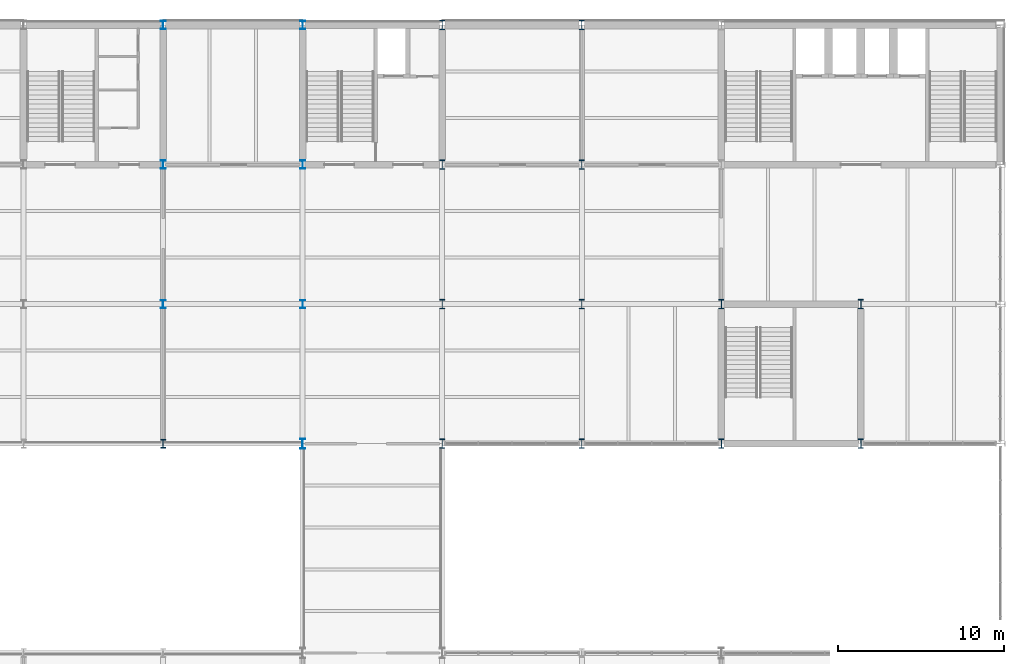
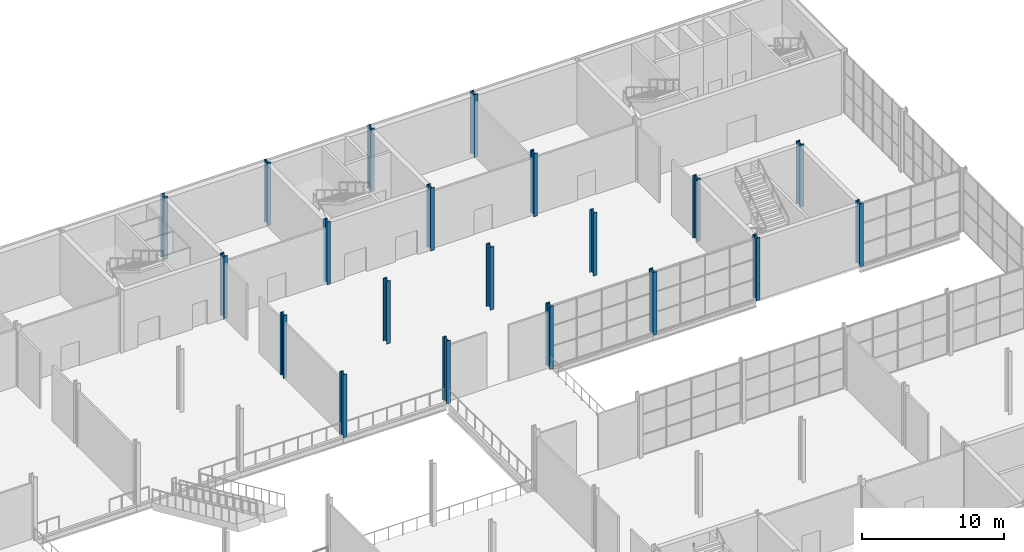
# One storey, part 7 of 64: 20 columns.
"""IFC4 building model written with IfcOpenShell, lengths in metres."""

from ifc_helpers import new_model, si_unit, direction, frame, origin, origin_2d, place, context, subcontext, project, spatial, i_section, extrude, material, material_profile, profile_set, type_object, element, save


model = new_model("IFC4")

# Units and contexts
model_context = context("Model", 3, precision=1e-05, world=origin(), true_north=direction((0.0, 1.0)))
body_context = subcontext(model_context, "Body", "Model", "MODEL_VIEW")
ifc_project = project(units=[si_unit("LENGTHUNIT", "METRE"), si_unit("AREAUNIT", "SQUARE_METRE"), si_unit("VOLUMEUNIT", "CUBIC_METRE"), si_unit("PLANEANGLEUNIT", "RADIAN"), si_unit("MASSUNIT", "GRAM", prefix="KILO")], contexts=[model_context])

# Site, building, storey
site_placement = place(None, origin())
site = spatial("IfcSite", under=ifc_project, at=site_placement, CompositionType="ELEMENT")
building_placement = place(site_placement, origin())
building = spatial("IfcBuilding", under=site, at=building_placement, Name="Galleria Vessillo Department Store", CompositionType="ELEMENT")
storey_placement = place(building_placement, frame((0.0, 0.0, 6.0)))
storey = spatial("IfcBuildingStorey", under=building, at=storey_placement, Name="L01", CompositionType="ELEMENT", Elevation=6.0)

# Columns
ifc_material_1 = material(Name="Steel S355 J2", Category="steel")
ifc_material_profile_1 = material_profile(ifc_material_1, i_section(OverallWidth=0.300048828125, OverallDepth=0.5, WebThickness=0.014404296875, FlangeThickness=0.028076171875, FilletRadius=0.027099609375, at=origin_2d()), Name="HEB 500")
ifc_profile_set_1 = profile_set([ifc_material_profile_1], Name="Steel S355 J2")
column_type_1 = type_object("IfcColumnType", Name="Steel column HEB 500 CP1", PredefinedType="COLUMN", material=ifc_profile_set_1)
for number, where, z_axis, x_axis, name in (
    (1, (67.199951171875, 46.199951171875, 0.0), (0.0, 0.0, 1.0), (1.0, 0.0, 0.0), "S-COL-L01-9-F"),
    (2, (67.199951171875, 54.60009765625, 0.0), (0.0, 0.0, 1.0), (1.0, 0.0, 0.0), "S-COL-L01-9-G"),
    (3, (67.199951171875, 63.0, 0.0), (0.0, 0.0, 1.0), (1.0, 0.0, 0.0), "S-COL-L01-9-H"),
    (4, (75.60009765625, 46.199951171875, 0.0), (0.0, 0.0, 1.0), (1.0, 0.0, 0.0), "S-COL-L01-10-F"),
    (5, (75.60009765625, 54.60009765625, 0.0), (0.0, 0.0, 1.0), (1.0, 0.0, 0.0), "S-COL-L01-10-G"),
    (6, (75.60009765625, 63.0, 0.0), (0.0, 0.0, 1.0), (1.0, 0.0, 0.0), "S-COL-L01-10-H"),
):
    element("IfcColumn", number, at=place(storey_placement, frame(where, z_axis=z_axis, x_axis=x_axis)), inside=storey, type_object=column_type_1, Name=name, PredefinedType="COLUMN", context=body_context, shape_type="SweptSolid", body=[
        extrude(i_section(OverallWidth=0.300048828125, OverallDepth=0.5, WebThickness=0.014404296875, FlangeThickness=0.028076171875, FilletRadius=0.027099609375, at=origin_2d()), origin(), (0.0, 0.0, 1.0), 5.39990234375),
    ])
ifc_material_2 = material(Name="Steel S355 J2", Category="steel")
ifc_material_profile_2 = material_profile(ifc_material_2, i_section(OverallWidth=0.305908203125, OverallDepth=0.52392578125, WebThickness=0.02099609375, FlangeThickness=0.0400390625, FilletRadius=0.027099609375, at=origin_2d()), Name="HEM 500")
ifc_profile_set_2 = profile_set([ifc_material_profile_2], Name="Steel S355 J2")
column_type_2 = type_object("IfcColumnType", Name="Steel column HEM 500 CV1", PredefinedType="COLUMN", material=ifc_profile_set_2)
column_1_placement = place(storey_placement, frame((67.199951171875, 37.800048828125, 0.0), z_axis=(0.0, 0.0, 1.0), x_axis=(1.0, 0.0, 0.0)))
element("IfcColumn", 7, at=column_1_placement, inside=storey, type_object=column_type_2, Name="S-COL-L01-9-E", PredefinedType="COLUMN", context=body_context, shape_type="SweptSolid", body=[
    extrude(i_section(OverallWidth=0.305908203125, OverallDepth=0.52392578125, WebThickness=0.02099609375, FlangeThickness=0.0400390625, FilletRadius=0.027099609375, at=origin_2d()), origin(), (0.0, 0.0, 1.0), 5.39990234375),
])
ifc_material_3 = material(Name="Steel S355 J2", Category="steel")
ifc_material_profile_3 = material_profile(ifc_material_3, i_section(OverallWidth=0.305908203125, OverallDepth=0.572021484375, WebThickness=0.02099609375, FlangeThickness=0.0400390625, FilletRadius=0.027099609375, at=origin_2d()), Name="HEM 550")
ifc_profile_set_3 = profile_set([ifc_material_profile_3], Name="Steel S355 J2")
column_type_3 = type_object("IfcColumnType", Name="Steel column HEM 550 CT1", PredefinedType="COLUMN", material=ifc_profile_set_3)
for number, where, z_axis, x_axis, name in (
    (8, (84.0, 37.800048828125, 0.0), (0.0, 0.0, 1.0), (1.0, 0.0, 0.0), "S-COL-L01-11-E"),
    (9, (84.0, 46.199951171875, 0.0), (0.0, 0.0, 1.0), (1.0, 0.0, 0.0), "S-COL-L01-11-F"),
    (10, (84.0, 54.60009765625, 0.0), (0.0, 0.0, 1.0), (1.0, 0.0, 0.0), "S-COL-L01-11-G"),
    (11, (84.0, 63.0, 0.0), (0.0, 0.0, 1.0), (1.0, 0.0, 0.0), "S-COL-L01-11-H"),
    (12, (92.39990234375, 37.800048828125, 0.0), (0.0, 0.0, 1.0), (1.0, 0.0, 0.0), "S-COL-L01-12-E"),
    (13, (92.39990234375, 46.199951171875, 0.0), (0.0, 0.0, 1.0), (1.0, 0.0, 0.0), "S-COL-L01-12-F"),
    (14, (92.39990234375, 54.60009765625, 0.0), (0.0, 0.0, 1.0), (1.0, 0.0, 0.0), "S-COL-L01-12-G"),
    (15, (92.39990234375, 63.0, 0.0), (0.0, 0.0, 1.0), (1.0, 0.0, 0.0), "S-COL-L01-12-H"),
    (16, (100.800048828125, 37.800048828125, 0.0), (0.0, 0.0, 1.0), (1.0, 0.0, 0.0), "S-COL-L01-13-E"),
    (17, (100.800048828125, 46.199951171875, 0.0), (0.0, 0.0, 1.0), (1.0, 0.0, 0.0), "S-COL-L01-13-F"),
    (18, (109.199951171875, 37.800048828125, 0.0), (0.0, 0.0, 1.0), (1.0, 0.0, 0.0), "S-COL-L01-14-E"),
    (19, (109.199951171875, 46.199951171875, 0.0), (0.0, 0.0, 1.0), (1.0, 0.0, 0.0), "S-COL-L01-14-F"),
):
    element("IfcColumn", number, at=place(storey_placement, frame(where, z_axis=z_axis, x_axis=x_axis)), inside=storey, type_object=column_type_3, Name=name, PredefinedType="COLUMN", context=body_context, shape_type="SweptSolid", body=[
        extrude(i_section(OverallWidth=0.305908203125, OverallDepth=0.572021484375, WebThickness=0.02099609375, FlangeThickness=0.0400390625, FilletRadius=0.027099609375, at=origin_2d()), origin(), (0.0, 0.0, 1.0), 5.39990234375),
    ])
ifc_material_4 = material(Name="Steel S355 J2", Category="steel")
ifc_material_profile_4 = material_profile(ifc_material_4, i_section(OverallWidth=0.304931640625, OverallDepth=0.6201171875, WebThickness=0.02099609375, FlangeThickness=0.0400390625, FilletRadius=0.027099609375, at=origin_2d()), Name="HEM 600")
ifc_profile_set_4 = profile_set([ifc_material_profile_4], Name="Steel S355 J2")
column_type_4 = type_object("IfcColumnType", Name="Steel column HEM 600 CV2", PredefinedType="COLUMN", material=ifc_profile_set_4)
column_2_placement = place(storey_placement, frame((75.60009765625, 37.800048828125, 0.0), z_axis=(0.0, 0.0, 1.0), x_axis=(1.0, 0.0, 0.0)))
element("IfcColumn", 20, at=column_2_placement, inside=storey, type_object=column_type_4, Name="S-COL-L01-10-E", PredefinedType="COLUMN", context=body_context, shape_type="SweptSolid", body=[
    extrude(i_section(OverallWidth=0.304931640625, OverallDepth=0.6201171875, WebThickness=0.02099609375, FlangeThickness=0.0400390625, FilletRadius=0.027099609375, at=origin_2d()), origin(), (0.0, 0.0, 1.0), 5.39990234375),
])

save(model, "model.ifc")
